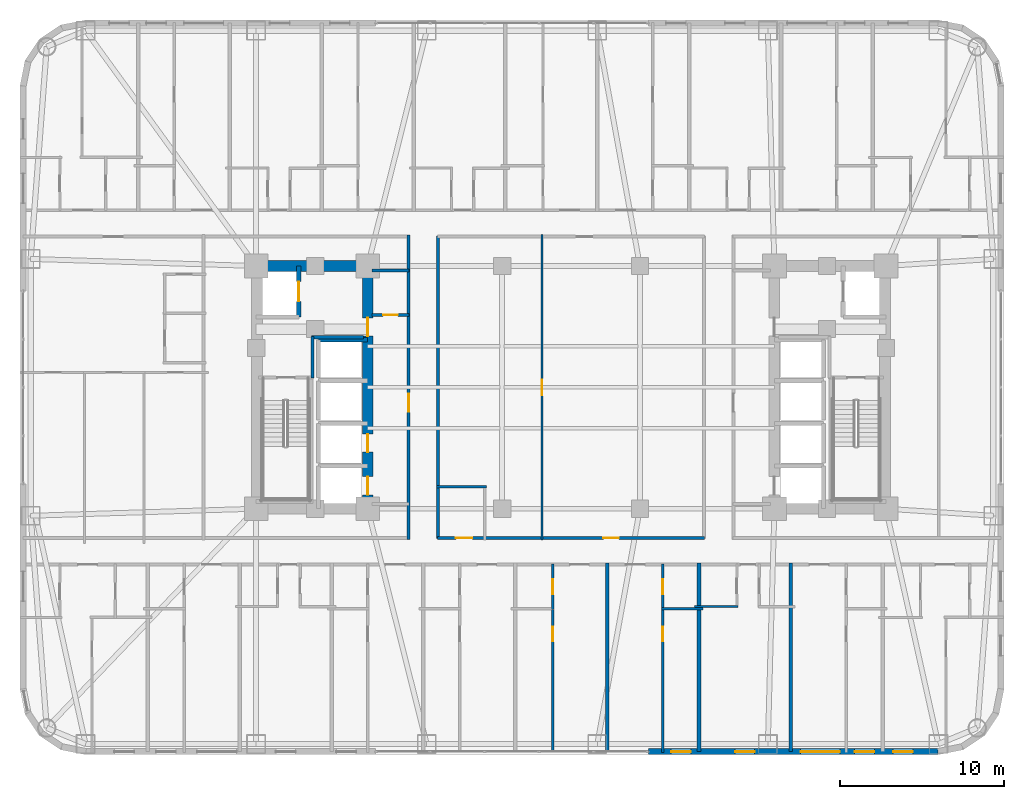
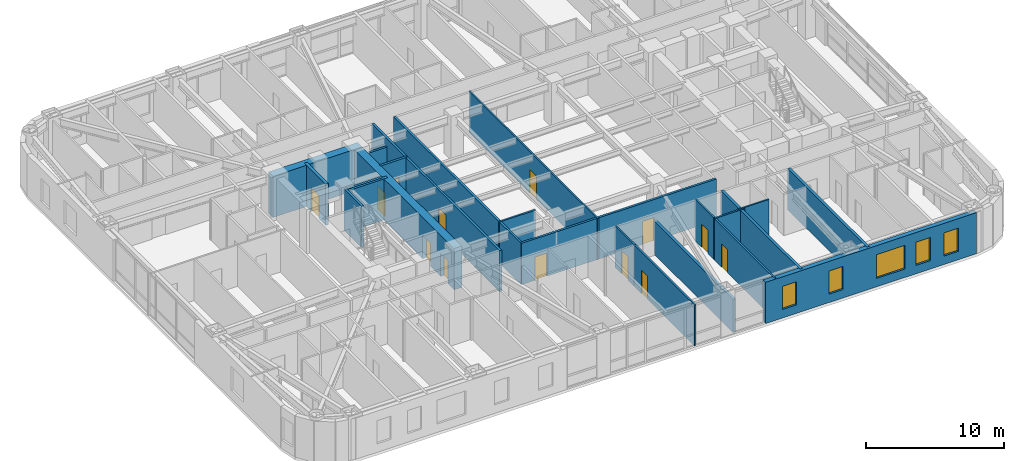
# One storey, part 22 of 28: 23 walls, 13 doors, 5 windows, 18 openings.
"""IFC4 building model written with IfcOpenShell, lengths in metres."""

from ifc_helpers import new_model, si_unit, direction, frame, frame_2d, origin, place, context, subcontext, project, spatial, rectangle, extrude, material, layer, layer_set, type_object, element, fill, save


model = new_model("IFC4")

# Units and contexts
model_context = context("Model", 3, precision=1e-05, world=origin(), true_north=direction((0.0, 1.0)))
body_context = subcontext(model_context, "Body", "Model", "MODEL_VIEW")
ifc_project = project(units=[si_unit("LENGTHUNIT", "METRE"), si_unit("AREAUNIT", "SQUARE_METRE"), si_unit("VOLUMEUNIT", "CUBIC_METRE"), si_unit("PLANEANGLEUNIT", "RADIAN"), si_unit("MASSUNIT", "GRAM", prefix="KILO")], contexts=[model_context])

# Site, building, storey
site_placement = place(None, origin())
site = spatial("IfcSite", under=ifc_project, at=site_placement, CompositionType="ELEMENT")
building_placement = place(site_placement, origin())
building = spatial("IfcBuilding", under=site, at=building_placement, Name="Voryun Gate Residences", CompositionType="ELEMENT")
storey_placement = place(building_placement, frame((0.0, 0.0, 61.10009765625)))
storey = spatial("IfcBuildingStorey", under=building, at=storey_placement, Name="L14", CompositionType="ELEMENT", Elevation=61.10009765625)

# Wall
ifc_material_1 = material(Name="Concrete C60/75", Category="concrete")
ifc_layer_1 = layer(ifc_material_1, 0.64990234375, Name="CW_CORE_650")
ifc_layer_set_1 = layer_set([ifc_layer_1], Name="Concrete C60/75")
wall_type_1 = type_object("IfcWallType", Name="CW_CORE_650", PredefinedType="SHEAR", material=ifc_layer_set_1)
wall_1_placement = place(storey_placement, frame((-19.52490234375, 7.39990234375, 0.0), z_axis=(0.0, 0.0, 1.0), x_axis=(1.0, 0.0, 0.0)))
element("IfcWall", 1, at=wall_1_placement, inside=storey, type_object=wall_type_1, Name="L14 Core shear wall CW-L14-WN", PredefinedType="SHEAR", context=body_context, shape_type="SweptSolid", body=[
    extrude(rectangle(XDim=7.449951171875, YDim=0.64990234375, at=frame_2d((3.72509765625, 0.0))), origin(), (0.0, 0.0, 1.0), 3.64990234375),
])

# Wall, openings, doors
wall_2_placement = place(storey_placement, frame((-12.39990234375, -7.39990234375, 0.0), z_axis=(0.0, 0.0, 1.0), x_axis=(0.0, 1.0, 0.0)))
wall_2 = element("IfcWall", 2, at=wall_2_placement, inside=storey, type_object=wall_type_1, Name="L14 Core shear wall CW-L14-WE", PredefinedType="SHEAR", context=body_context, shape_type="SweptSolid", body=[
    extrude(rectangle(XDim=14.7998046875, YDim=0.64990234375, at=frame_2d((7.39990234375, 0.0))), origin(), (0.0, 0.0, 1.0), 3.64990234375),
])
opening_1_placement = place(wall_2_placement, frame((0.85009765625, 0.0, 0.0)))
opening_1 = element("IfcOpeningElement", 3, at=opening_1_placement, cuts=wall_2, Name="Opening LD2", PredefinedType="OPENING", context=body_context, shape_type="SweptSolid", body=[
    extrude(rectangle(XDim=1.10009765625, YDim=2.050048828125, at=frame_2d((0.550048828125, 1.02490234375))), frame((0.0, 0.3349609375, 0.0), z_axis=(0.0, -1.0, 0.0), x_axis=(1.0, 0.0, 0.0)), (0.0, 0.0, 1.0), 0.669921875),
])
opening_2_placement = place(wall_2_placement, frame((3.449951171875, 0.0, 0.0)))
opening_2 = element("IfcOpeningElement", 4, at=opening_2_placement, cuts=wall_2, Name="Opening LD2", PredefinedType="OPENING", context=body_context, shape_type="SweptSolid", body=[
    extrude(rectangle(XDim=1.10009765625, YDim=2.050048828125, at=frame_2d((0.550048828125, 1.02490234375))), frame((0.0, 0.3349609375, 0.0), z_axis=(0.0, -1.0, 0.0), x_axis=(1.0, 0.0, 0.0)), (0.0, 0.0, 1.0), 0.669921875),
])
opening_3_placement = place(wall_2_placement, frame((10.530029296875, 0.0, 0.0)))
opening_3 = element("IfcOpeningElement", 5, at=opening_3_placement, cuts=wall_2, Name="Opening D-FD60-2", PredefinedType="OPENING", context=body_context, shape_type="SweptSolid", body=[
    extrude(rectangle(XDim=1.10009765625, YDim=2.050048828125, at=frame_2d((0.550048828125, 1.02490234375))), frame((0.0, 0.3349609375, 0.0), z_axis=(0.0, -1.0, 0.0), x_axis=(1.0, 0.0, 0.0)), (0.0, 0.0, 1.0), 0.669921875),
])
ifc_material_2 = material(Name="Painted steel fire door", Category="steel")
door_type_1 = type_object("IfcDoorType", Name="DR_FD60_FFLOB_1100", OperationType="NOTDEFINED", PredefinedType="DOOR", material=ifc_material_2)
door_1_placement = place(opening_3_placement, origin())
door_1 = element("IfcDoor", 6, at=door_1_placement, inside=storey, type_object=door_type_1, Name="Door DR-L14-CLOB-W", OperationType="SINGLE_SWING_LEFT", OverallHeight=2.050048828125, OverallWidth=1.10009765625, PredefinedType="DOOR", context=body_context, shape_type="SweptSolid", body=[
    extrude(rectangle(XDim=1.10009765625, YDim=2.050048828125, at=frame_2d((0.550048828125, 1.02490234375))), frame((0.0, 0.02490234375, 0.0), z_axis=(0.0, -1.0, 0.0), x_axis=(1.0, 0.0, 0.0)), (0.0, 0.0, 1.0), 0.050048828125),
])
fill(opening_3, door_1)
ifc_material_3 = material(Name="Anodised aluminium", Category="aluminium")
door_type_2 = type_object("IfcDoorType", Name="DR_LD_PASS_1100", OperationType="NOTDEFINED", PredefinedType="DOOR", material=ifc_material_3)
door_2_placement = place(opening_1_placement, origin())
door_2 = element("IfcDoor", 7, at=door_2_placement, inside=storey, type_object=door_type_2, Name="Lift EL-P1 sliding landing door L14", OperationType="SLIDING_TO_LEFT", OverallHeight=2.050048828125, OverallWidth=1.10009765625, PredefinedType="DOOR", context=body_context, shape_type="SweptSolid", body=[
    extrude(rectangle(XDim=1.10009765625, YDim=2.050048828125, at=frame_2d((0.550048828125, 1.02490234375))), frame((0.0, 0.02490234375, 0.0), z_axis=(0.0, -1.0, 0.0), x_axis=(1.0, 0.0, 0.0)), (0.0, 0.0, 1.0), 0.050048828125),
])
fill(opening_1, door_2)
door_3_placement = place(opening_2_placement, origin())
door_3 = element("IfcDoor", 8, at=door_3_placement, inside=storey, type_object=door_type_2, Name="Lift EL-P2 sliding landing door L14", OperationType="SLIDING_TO_LEFT", OverallHeight=2.050048828125, OverallWidth=1.10009765625, PredefinedType="DOOR", context=body_context, shape_type="SweptSolid", body=[
    extrude(rectangle(XDim=1.10009765625, YDim=2.050048828125, at=frame_2d((0.550048828125, 1.02490234375))), frame((0.0, 0.02490234375, 0.0), z_axis=(0.0, -1.0, 0.0), x_axis=(1.0, 0.0, 0.0)), (0.0, 0.0, 1.0), 0.050048828125),
])
fill(opening_2, door_3)

# Wall
ifc_material_4 = material(Name="Gypsum acoustic fireboard")
ifc_layer_2 = layer(ifc_material_4, 0.179931640625, Name="W_CORR_RATED_180")
ifc_layer_set_2 = layer_set([ifc_layer_2], Name="Gypsum acoustic fireboard")
wall_type_2 = type_object("IfcWallType", Name="W_CORR_RATED_180", PredefinedType="PARTITIONING", material=ifc_layer_set_2)
wall_3_placement = place(storey_placement, frame((-12.14990234375, 7.1201171875, 0.0), z_axis=(0.0, 0.0, 1.0), x_axis=(1.0, 0.0, 0.0)))
element("IfcWall", 9, at=wall_3_placement, inside=storey, type_object=wall_type_2, Name="Partition wall WP-L14-PLBN-W", PredefinedType="PARTITIONING", context=body_context, shape_type="SweptSolid", body=[
    extrude(rectangle(XDim=2.27001953125, YDim=0.179931640625, at=frame_2d((1.135009765625, 0.0))), origin(), (0.0, 0.0, 1.0), 2.93994140625),
])

# Wall, opening, door
wall_4_placement = place(storey_placement, frame((-9.89990234375, -9.280029296875, 0.0), z_axis=(0.0, 0.0, 1.0), x_axis=(0.0, 1.0, 0.0)))
wall_4 = element("IfcWall", 10, at=wall_4_placement, inside=storey, type_object=wall_type_2, Name="Partition wall WP-L14-PLBW-FULL", PredefinedType="PARTITIONING", context=body_context, shape_type="SweptSolid", body=[
    extrude(rectangle(XDim=18.56005859375, YDim=0.179931640625, at=frame_2d((9.280029296875, 0.0))), origin(), (0.0, 0.0, 1.0), 3.64990234375),
])
opening_4_placement = place(wall_4_placement, frame((7.802001953125, 0.0, 0.0)))
opening_4 = element("IfcOpeningElement", 11, at=opening_4_placement, cuts=wall_4, Name="Opening D-FD60-2", PredefinedType="OPENING", context=body_context, shape_type="SweptSolid", body=[
    extrude(rectangle(XDim=1.10009765625, YDim=2.050048828125, at=frame_2d((0.550048828125, 1.02490234375))), frame((0.0, 0.099853515625, 0.0), z_axis=(0.0, -1.0, 0.0), x_axis=(1.0, 0.0, 0.0)), (0.0, 0.0, 1.0), 0.199951171875),
])
door_4_placement = place(opening_4_placement, origin())
door_4 = element("IfcDoor", 12, at=door_4_placement, inside=storey, type_object=door_type_1, Name="Door DR-L14-PLBW-COR", OperationType="SINGLE_SWING_LEFT", OverallHeight=2.050048828125, OverallWidth=1.10009765625, PredefinedType="DOOR", context=body_context, shape_type="SweptSolid", body=[
    extrude(rectangle(XDim=1.10009765625, YDim=2.050048828125, at=frame_2d((0.550048828125, 1.02490234375))), frame((0.0, 0.02490234375, 0.0), z_axis=(0.0, -1.0, 0.0), x_axis=(1.0, 0.0, 0.0)), (0.0, 0.0, 1.0), 0.050048828125),
])
fill(opening_4, door_4)

# Wall, openings, doors
wall_5_placement = place(storey_placement, frame((-8.14990234375, -9.18994140625, 0.0), z_axis=(0.0, 0.0, 1.0), x_axis=(1.0, 0.0, 0.0)))
wall_5 = element("IfcWall", 13, at=wall_5_placement, inside=storey, type_object=wall_type_2, Name="Partition wall WP-L14-Z1S", PredefinedType="PARTITIONING", context=body_context, shape_type="SweptSolid", body=[
    extrude(rectangle(XDim=16.2998046875, YDim=0.179931640625, at=frame_2d((8.14990234375, 0.0))), origin(), (0.0, 0.0, 1.0), 3.64990234375),
])
opening_5_placement = place(wall_5_placement, frame((1.1298828125, 0.0, 0.0)))
opening_5 = element("IfcOpeningElement", 14, at=opening_5_placement, cuts=wall_5, Name="Opening D-AWC-1", PredefinedType="OPENING", context=body_context, shape_type="SweptSolid", body=[
    extrude(rectangle(XDim=1.0, YDim=2.050048828125, at=frame_2d((0.5, 1.02490234375))), frame((0.0, 0.099853515625, 0.0), z_axis=(0.0, -1.0, 0.0), x_axis=(1.0, 0.0, 0.0)), (0.0, 0.0, 1.0), 0.199951171875),
])
opening_6_placement = place(wall_5_placement, frame((10.1201171875, 0.0, 0.0)))
opening_6 = element("IfcOpeningElement", 15, at=opening_6_placement, cuts=wall_5, Name="Opening D-INT-1", PredefinedType="OPENING", context=body_context, shape_type="SweptSolid", body=[
    extrude(rectangle(XDim=0.949951171875, YDim=2.050048828125, at=frame_2d((0.47509765625, 1.02490234375))), frame((0.0, 0.099853515625, 0.0), z_axis=(0.0, -1.0, 0.0), x_axis=(1.0, 0.0, 0.0)), (0.0, 0.0, 1.0), 0.199951171875),
])
ifc_material_5 = material(Name="Architectural oak veneer")
door_type_3 = type_object("IfcDoorType", Name="DR_ACC_WC_1000", OperationType="NOTDEFINED", PredefinedType="DOOR", material=ifc_material_5)
door_5_placement = place(opening_5_placement, origin())
door_5 = element("IfcDoor", 16, at=door_5_placement, inside=storey, type_object=door_type_3, Name="Door DR-L14-CMWC-D", OperationType="SINGLE_SWING_LEFT", OverallHeight=2.050048828125, OverallWidth=1.0, PredefinedType="DOOR", context=body_context, shape_type="SweptSolid", body=[
    extrude(rectangle(XDim=1.0, YDim=2.050048828125, at=frame_2d((0.5, 1.02490234375))), frame((0.0, 0.02490234375, 0.0), z_axis=(0.0, -1.0, 0.0), x_axis=(1.0, 0.0, 0.0)), (0.0, 0.0, 1.0), 0.050048828125),
])
fill(opening_5, door_5)
ifc_material_6 = material(Name="Architectural oak veneer")
door_type_4 = type_object("IfcDoorType", Name="DR_INT_ROOM_950", OperationType="NOTDEFINED", PredefinedType="DOOR", material=ifc_material_6)
door_6_placement = place(opening_6_placement, origin())
door_6 = element("IfcDoor", 17, at=door_6_placement, inside=storey, type_object=door_type_4, Name="Door DR-L14-CMIDZ1S", OperationType="SINGLE_SWING_RIGHT", OverallHeight=2.050048828125, OverallWidth=0.949951171875, PredefinedType="DOOR", context=body_context, shape_type="SweptSolid", body=[
    extrude(rectangle(XDim=0.949951171875, YDim=2.050048828125, at=frame_2d((0.47509765625, 1.02490234375))), frame((0.0, 0.02490234375, 0.0), z_axis=(0.0, -1.0, 0.0), x_axis=(1.0, 0.0, 0.0)), (0.0, 0.0, 1.0), 0.050048828125),
])
fill(opening_6, door_6)

# Wall
wall_6_placement = place(storey_placement, frame((-8.10009765625, -9.22998046875, 0.0), z_axis=(0.0, 0.0, 1.0), x_axis=(0.0, 1.0, 0.0)))
element("IfcWall", 18, at=wall_6_placement, inside=storey, type_object=wall_type_2, Name="Partition wall WP-L14-Z1W", PredefinedType="PARTITIONING", context=body_context, shape_type="SweptSolid", body=[
    extrude(rectangle(XDim=18.4599609375, YDim=0.179931640625, at=frame_2d((9.22998046875, 0.0))), origin(), (0.0, 0.0, 1.0), 3.64990234375),
])

# Wall, openings, windows
ifc_material_7 = material(Name="Granite masonry", Category="masonry")
ifc_layer_3 = layer(ifc_material_7, 0.3798828125, Name="W_EXT_GRANITE_380")
ifc_layer_set_3 = layer_set([ifc_layer_3], Name="Granite masonry")
wall_type_3 = type_object("IfcWallType", Name="W_EXT_GRANITE_380", PredefinedType="ELEMENTEDWALL", material=ifc_layer_set_3)
wall_7_placement = place(storey_placement, frame((22.38134765625, -22.2099609375, 0.0), z_axis=(0.0, 0.0, 1.0), x_axis=(-1.0, 0.0, 0.0)))
wall_7 = element("IfcWall", 19, at=wall_7_placement, inside=storey, type_object=wall_type_3, Name="Exterior wall WEXT-L14-01A", PredefinedType="ELEMENTEDWALL", context=body_context, shape_type="SweptSolid", body=[
    extrude(rectangle(XDim=17.667236328125, YDim=0.3798828125, at=frame_2d((8.83349609375, 0.0))), origin(), (0.0, 0.0, 1.0), 3.64990234375),
])
opening_7_placement = place(wall_7_placement, frame((5.983642578125, 0.0, 0.75)))
opening_7 = element("IfcOpeningElement", 20, at=opening_7_placement, cuts=wall_7, Name="Opening WN2", PredefinedType="OPENING", context=body_context, shape_type="SweptSolid", body=[
    extrude(rectangle(XDim=2.39990234375, YDim=2.10009765625, at=frame_2d((1.199951171875, 1.050048828125))), frame((0.0, 0.199951171875, 0.0), z_axis=(0.0, -1.0, 0.0), x_axis=(1.0, 0.0, 0.0)), (0.0, 0.0, 1.0), 0.39990234375),
])
opening_8_placement = place(wall_7_placement, frame((15.079345703125, 0.0, 0.75)))
opening_8 = element("IfcOpeningElement", 21, at=opening_8_placement, cuts=wall_7, Name="Opening WN6", PredefinedType="OPENING", context=body_context, shape_type="SweptSolid", body=[
    extrude(rectangle(XDim=1.199951171875, YDim=2.050048828125, at=frame_2d((0.60009765625, 1.02490234375))), frame((0.0, 0.199951171875, 0.0), z_axis=(0.0, -1.0, 0.0), x_axis=(1.0, 0.0, 0.0)), (0.0, 0.0, 1.0), 0.39990234375),
])
opening_9_placement = place(wall_7_placement, frame((11.181396484375, 0.0, 0.75)))
opening_9 = element("IfcOpeningElement", 22, at=opening_9_placement, cuts=wall_7, Name="Opening WN6", PredefinedType="OPENING", context=body_context, shape_type="SweptSolid", body=[
    extrude(rectangle(XDim=1.199951171875, YDim=2.050048828125, at=frame_2d((0.60009765625, 1.02490234375))), frame((0.0, 0.199951171875, 0.0), z_axis=(0.0, -1.0, 0.0), x_axis=(1.0, 0.0, 0.0)), (0.0, 0.0, 1.0), 0.39990234375),
])
opening_10_placement = place(wall_7_placement, frame((3.88623046875, 0.0, 0.75)))
opening_10 = element("IfcOpeningElement", 23, at=opening_10_placement, cuts=wall_7, Name="Opening WN6", PredefinedType="OPENING", context=body_context, shape_type="SweptSolid", body=[
    extrude(rectangle(XDim=1.199951171875, YDim=2.050048828125, at=frame_2d((0.60009765625, 1.02490234375))), frame((0.0, 0.199951171875, 0.0), z_axis=(0.0, -1.0, 0.0), x_axis=(1.0, 0.0, 0.0)), (0.0, 0.0, 1.0), 0.39990234375),
])
opening_11_placement = place(wall_7_placement, frame((1.53564453125, 0.0, 0.75)))
opening_11 = element("IfcOpeningElement", 24, at=opening_11_placement, cuts=wall_7, Name="Opening WN6", PredefinedType="OPENING", context=body_context, shape_type="SweptSolid", body=[
    extrude(rectangle(XDim=1.199951171875, YDim=2.050048828125, at=frame_2d((0.60009765625, 1.02490234375))), frame((0.0, 0.199951171875, 0.0), z_axis=(0.0, -1.0, 0.0), x_axis=(1.0, 0.0, 0.0)), (0.0, 0.0, 1.0), 0.39990234375),
])
ifc_material_8 = material(Name="Laminated low-E glass", Category="glass")
window_type_1 = type_object("IfcWindowType", Name="WN_POD_SLOT_1200", PartitioningType="SINGLE_PANEL", PredefinedType="WINDOW", material=ifc_material_8)
window_1_placement = place(opening_8_placement, origin())
window_1 = element("IfcWindow", 25, at=window_1_placement, inside=storey, type_object=window_type_1, Name="Window WN-L14-DWFIX-16", OverallHeight=2.050048828125, OverallWidth=1.199951171875, PartitioningType="SINGLE_PANEL", PredefinedType="WINDOW", context=body_context, shape_type="SweptSolid", body=[
    extrude(rectangle(XDim=1.199951171875, YDim=2.050048828125, at=frame_2d((0.60009765625, 1.02490234375))), frame((0.0, 0.030029296875, 0.0), z_axis=(0.0, -1.0, 0.0), x_axis=(1.0, 0.0, 0.0)), (0.0, 0.0, 1.0), 0.06005859375),
])
fill(opening_8, window_1)
window_2_placement = place(opening_9_placement, origin())
window_2 = element("IfcWindow", 26, at=window_2_placement, inside=storey, type_object=window_type_1, Name="Window WN-L14-DWFIX-17", OverallHeight=2.050048828125, OverallWidth=1.199951171875, PartitioningType="SINGLE_PANEL", PredefinedType="WINDOW", context=body_context, shape_type="SweptSolid", body=[
    extrude(rectangle(XDim=1.199951171875, YDim=2.050048828125, at=frame_2d((0.60009765625, 1.02490234375))), frame((0.0, 0.030029296875, 0.0), z_axis=(0.0, -1.0, 0.0), x_axis=(1.0, 0.0, 0.0)), (0.0, 0.0, 1.0), 0.06005859375),
])
fill(opening_9, window_2)
window_3_placement = place(opening_10_placement, origin())
window_3 = element("IfcWindow", 27, at=window_3_placement, inside=storey, type_object=window_type_1, Name="Window WN-L14-DWFIX-18", OverallHeight=2.050048828125, OverallWidth=1.199951171875, PartitioningType="SINGLE_PANEL", PredefinedType="WINDOW", context=body_context, shape_type="SweptSolid", body=[
    extrude(rectangle(XDim=1.199951171875, YDim=2.050048828125, at=frame_2d((0.60009765625, 1.02490234375))), frame((0.0, 0.030029296875, 0.0), z_axis=(0.0, -1.0, 0.0), x_axis=(1.0, 0.0, 0.0)), (0.0, 0.0, 1.0), 0.06005859375),
])
fill(opening_10, window_3)
window_4_placement = place(opening_11_placement, origin())
window_4 = element("IfcWindow", 28, at=window_4_placement, inside=storey, type_object=window_type_1, Name="Window WN-L14-DWFIX-19", OverallHeight=2.050048828125, OverallWidth=1.199951171875, PartitioningType="SINGLE_PANEL", PredefinedType="WINDOW", context=body_context, shape_type="SweptSolid", body=[
    extrude(rectangle(XDim=1.199951171875, YDim=2.050048828125, at=frame_2d((0.60009765625, 1.02490234375))), frame((0.0, 0.030029296875, 0.0), z_axis=(0.0, -1.0, 0.0), x_axis=(1.0, 0.0, 0.0)), (0.0, 0.0, 1.0), 0.06005859375),
])
fill(opening_11, window_4)
ifc_material_9 = material(Name="Laminated low-E glass", Category="glass")
window_type_2 = type_object("IfcWindowType", Name="WN_RES_WIDE_2400", PartitioningType="SINGLE_PANEL", PredefinedType="WINDOW", material=ifc_material_9)
window_5_placement = place(opening_7_placement, origin())
window_5 = element("IfcWindow", 29, at=window_5_placement, inside=storey, type_object=window_type_2, Name="Window WN-WEXT-L14-01A-01", OverallHeight=2.10009765625, OverallWidth=2.39990234375, PartitioningType="SINGLE_PANEL", PredefinedType="WINDOW", context=body_context, shape_type="SweptSolid", body=[
    extrude(rectangle(XDim=2.39990234375, YDim=2.10009765625, at=frame_2d((1.199951171875, 1.050048828125))), frame((0.0, 0.030029296875, 0.0), z_axis=(0.0, -1.0, 0.0), x_axis=(1.0, 0.0, 0.0)), (0.0, 0.0, 1.0), 0.06005859375),
])
fill(opening_7, window_5)

# Walls
ifc_material_10 = material(Name="Concrete C40/50", Category="concrete")
ifc_layer_4 = layer(ifc_material_10, 0.199951171875, Name="W_FF_LOBBY_200")
ifc_layer_set_4 = layer_set([ifc_layer_4], Name="Concrete C40/50")
wall_type_4 = type_object("IfcWallType", Name="W_FF_LOBBY_200", PredefinedType="PARTITIONING", material=ifc_layer_set_4)
wall_8_placement = place(storey_placement, frame((-15.760009765625, 0.580078125, 0.0), z_axis=(0.0, 0.0, 1.0), x_axis=(0.0, 1.0, 0.0)))
element("IfcWall", 30, at=wall_8_placement, inside=storey, type_object=wall_type_4, Name="Partition wall WP-L14-FFP0-W", PredefinedType="PARTITIONING", context=body_context, shape_type="SweptSolid", body=[
    extrude(rectangle(XDim=2.52001953125, YDim=0.199951171875, at=frame_2d((1.260009765625, 0.0))), origin(), (0.0, 0.0, 1.0), 3.64990234375),
])
wall_9_placement = place(storey_placement, frame((-15.820068359375, 3.06005859375, 0.0), z_axis=(0.0, 0.0, 1.0), x_axis=(1.0, 0.0, 0.0)))
element("IfcWall", 31, at=wall_9_placement, inside=storey, type_object=wall_type_4, Name="Partition wall WP-L14-FFPS-W", PredefinedType="PARTITIONING", context=body_context, shape_type="SweptSolid", body=[
    extrude(rectangle(XDim=3.16015625, YDim=0.199951171875, at=frame_2d((1.580078125, 0.0))), origin(), (0.0, 0.0, 1.0), 3.64990234375),
])

# Wall, opening, door
wall_10_placement = place(storey_placement, frame((-12.14990234375, 4.409912109375, 0.0), z_axis=(0.0, 0.0, 1.0), x_axis=(1.0, 0.0, 0.0)))
wall_10 = element("IfcWall", 32, at=wall_10_placement, inside=storey, type_object=wall_type_4, Name="Partition wall WP-L14-CSFLKS-W", PredefinedType="PARTITIONING", context=body_context, shape_type="SweptSolid", body=[
    extrude(rectangle(XDim=2.27001953125, YDim=0.199951171875, at=frame_2d((1.135009765625, 0.0))), origin(), (0.0, 0.0, 1.0), 3.64990234375),
])
opening_12_placement = place(wall_10_placement, frame((0.68505859375, 0.0, 0.0)))
opening_12 = element("IfcOpeningElement", 33, at=opening_12_placement, cuts=wall_10, Name="Opening D-FD60-4", PredefinedType="OPENING", context=body_context, shape_type="SweptSolid", body=[
    extrude(rectangle(XDim=0.89990234375, YDim=2.050048828125, at=frame_2d((0.449951171875, 1.02490234375))), frame((0.0, 0.110107421875, 0.0), z_axis=(0.0, -1.0, 0.0), x_axis=(1.0, 0.0, 0.0)), (0.0, 0.0, 1.0), 0.219970703125),
])
ifc_material_11 = material(Name="Painted steel fire door", Category="steel")
door_type_5 = type_object("IfcDoorType", Name="DR_FD60_RISER_900", OperationType="NOTDEFINED", PredefinedType="DOOR", material=ifc_material_11)
door_7_placement = place(opening_12_placement, origin())
door_7 = element("IfcDoor", 34, at=door_7_placement, inside=storey, type_object=door_type_5, Name="Door DR-L14-CSFLK-W", OperationType="SINGLE_SWING_LEFT", OverallHeight=2.050048828125, OverallWidth=0.89990234375, PredefinedType="DOOR", context=body_context, shape_type="SweptSolid", body=[
    extrude(rectangle(XDim=0.89990234375, YDim=2.050048828125, at=frame_2d((0.449951171875, 1.02490234375))), frame((0.0, 0.02490234375, 0.0), z_axis=(0.0, -1.0, 0.0), x_axis=(1.0, 0.0, 0.0)), (0.0, 0.0, 1.0), 0.050048828125),
])
fill(opening_12, door_7)

# Walls
ifc_material_12 = material(Name="Concrete C40/50", Category="concrete")
ifc_layer_5 = layer(ifc_material_12, 0.219970703125, Name="W_PARTY_ACOUSTIC_220")
ifc_layer_set_5 = layer_set([ifc_layer_5], Name="Concrete C40/50")
wall_type_5 = type_object("IfcWallType", Name="W_PARTY_ACOUSTIC_220", PredefinedType="PARTITIONING", material=ifc_layer_set_5)
wall_11_placement = place(storey_placement, frame((2.199951171875, -22.2099609375, 0.0), z_axis=(0.0, 0.0, 1.0), x_axis=(0.0, 1.0, 0.0)))
element("IfcWall", 35, at=wall_11_placement, inside=storey, type_object=wall_type_5, Name="Partition wall WP-L14-SPTY-6", PredefinedType="PARTITIONING", context=body_context, shape_type="SweptSolid", body=[
    extrude(rectangle(XDim=11.489990234375, YDim=0.219970703125, at=frame_2d((5.7451171875, 0.0))), origin(), (0.0, 0.0, 1.0), 2.93994140625),
])
for number, where, z_axis, x_axis, name in (
    (36, (7.800048828125, -22.2099609375, 0.0), (0.0, 0.0, 1.0), (0.0, 1.0, 0.0), "Partition wall WP-L14-SPTY-7"),
    (37, (13.39990234375, -22.2099609375, 0.0), (0.0, 0.0, 1.0), (0.0, 1.0, 0.0), "Partition wall WP-L14-SPTY-8"),
):
    element("IfcWall", number, at=place(storey_placement, frame(where, z_axis=z_axis, x_axis=x_axis)), inside=storey, type_object=wall_type_5, Name=name, PredefinedType="PARTITIONING", context=body_context, shape_type="SweptSolid", body=[
        extrude(rectangle(XDim=11.489990234375, YDim=0.219970703125, at=frame_2d((5.7451171875, 0.0))), origin(), (0.0, 0.0, 1.0), 3.64990234375),
    ])

# Wall, opening, door
ifc_material_13 = material(Name="Concrete C50/60", Category="concrete")
ifc_layer_6 = layer(ifc_material_13, 0.25, Name="W_SHAFT_RC250")
ifc_layer_set_6 = layer_set([ifc_layer_6], Name="Concrete C50/60")
wall_type_6 = type_object("IfcWallType", Name="W_SHAFT_RC250", PredefinedType="SOLIDWALL", material=ifc_layer_set_6)
wall_12_placement = place(storey_placement, frame((-16.60009765625, 4.300048828125, 0.0), z_axis=(0.0, 0.0, 1.0), x_axis=(0.0, 1.0, 0.0)))
wall_12 = element("IfcWall", 38, at=wall_12_placement, inside=storey, type_object=wall_type_6, Name="Lift shaft wall WSH-L14-EL-FF-W1-E", PredefinedType="SOLIDWALL", context=body_context, shape_type="SweptSolid", body=[
    extrude(rectangle(XDim=3.099853515625, YDim=0.25, at=frame_2d((1.5498046875, 0.0))), origin(), (0.0, 0.0, 1.0), 3.64990234375),
])
opening_13_placement = place(wall_12_placement, frame((0.949951171875, 0.0, 0.0)))
opening_13 = element("IfcOpeningElement", 39, at=opening_13_placement, cuts=wall_12, Name="Opening LD1", PredefinedType="OPENING", context=body_context, shape_type="SweptSolid", body=[
    extrude(rectangle(XDim=1.199951171875, YDim=2.050048828125, at=frame_2d((0.60009765625, 1.02490234375))), frame((0.0, 0.135009765625, 0.0), z_axis=(0.0, -1.0, 0.0), x_axis=(1.0, 0.0, 0.0)), (0.0, 0.0, 1.0), 0.27001953125),
])
ifc_material_14 = material(Name="Anodised aluminium", Category="aluminium")
door_type_6 = type_object("IfcDoorType", Name="DR_LD_FF_1200", OperationType="NOTDEFINED", PredefinedType="DOOR", material=ifc_material_14)
door_8_placement = place(opening_13_placement, origin())
door_8 = element("IfcDoor", 40, at=door_8_placement, inside=storey, type_object=door_type_6, Name="Lift EL-FF-W1 sliding landing door L14", OperationType="SLIDING_TO_LEFT", OverallHeight=2.050048828125, OverallWidth=1.199951171875, PredefinedType="DOOR", context=body_context, shape_type="SweptSolid", body=[
    extrude(rectangle(XDim=1.199951171875, YDim=2.050048828125, at=frame_2d((0.60009765625, 1.02490234375))), frame((0.0, 0.02490234375, 0.0), z_axis=(0.0, -1.0, 0.0), x_axis=(1.0, 0.0, 0.0)), (0.0, 0.0, 1.0), 0.050048828125),
])
fill(opening_13, door_8)

# Wall
wall_13_placement = place(storey_placement, frame((-12.39990234375, 2.89990234375, 0.0), z_axis=(0.0, 0.0, 1.0), x_axis=(-1.0, 0.0, 0.0)))
element("IfcWall", 41, at=wall_13_placement, inside=storey, type_object=wall_type_6, Name="Lift shaft wall WSH-L14-EL-P7-N", PredefinedType="SOLIDWALL", context=body_context, shape_type="SweptSolid", body=[
    extrude(rectangle(XDim=3.0, YDim=0.25, at=frame_2d((1.5, 0.0))), origin(), (0.0, 0.0, 1.0), 3.64990234375),
])

# Wall, opening, door
ifc_material_15 = material(Name="Gypsum acoustic partition")
ifc_layer_7 = layer(ifc_material_15, 0.125, Name="W_UNIT_PART_125")
ifc_layer_set_7 = layer_set([ifc_layer_7], Name="Gypsum acoustic partition")
wall_type_7 = type_object("IfcWallType", Name="W_UNIT_PART_125", PredefinedType="PARTITIONING", material=ifc_layer_set_7)
wall_14_placement = place(storey_placement, frame((-1.77294921875, -9.320068359375, 0.0), z_axis=(0.0, 0.0, 1.0), x_axis=(0.0, 1.0, 0.0)))
wall_14 = element("IfcWall", 42, at=wall_14_placement, inside=storey, type_object=wall_type_7, Name="Partition wall WP-L14-MIDX-0", PredefinedType="PARTITIONING", context=body_context, shape_type="SweptSolid", body=[
    extrude(rectangle(XDim=18.64013671875, YDim=0.125, at=frame_2d((9.320068359375, 0.0))), origin(), (0.0, 0.0, 1.0), 3.64990234375),
])
opening_14_placement = place(wall_14_placement, frame((8.844970703125, 0.0, 0.0)))
opening_14 = element("IfcOpeningElement", 43, at=opening_14_placement, cuts=wall_14, Name="Opening D-INT-1", PredefinedType="OPENING", context=body_context, shape_type="SweptSolid", body=[
    extrude(rectangle(XDim=0.949951171875, YDim=2.050048828125, at=frame_2d((0.47509765625, 1.02490234375))), frame((0.0, 0.072509765625, 0.0), z_axis=(0.0, -1.0, 0.0), x_axis=(1.0, 0.0, 0.0)), (0.0, 0.0, 1.0), 0.14501953125),
])
door_9_placement = place(opening_14_placement, origin())
door_9 = element("IfcDoor", 44, at=door_9_placement, inside=storey, type_object=door_type_4, Name="Door DR-L14-MIDX-0", OperationType="SINGLE_SWING_LEFT", OverallHeight=2.050048828125, OverallWidth=0.949951171875, PredefinedType="DOOR", context=body_context, shape_type="SweptSolid", body=[
    extrude(rectangle(XDim=0.949951171875, YDim=2.050048828125, at=frame_2d((0.47509765625, 1.02490234375))), frame((0.0, 0.02490234375, 0.0), z_axis=(0.0, -1.0, 0.0), x_axis=(1.0, 0.0, 0.0)), (0.0, 0.0, 1.0), 0.050048828125),
])
fill(opening_14, door_9)

# Walls
wall_15_placement = place(storey_placement, frame((7.5400390625, -13.3701171875, 0.0), z_axis=(0.0, 0.0, 1.0), x_axis=(1.0, 0.0, 0.0)))
element("IfcWall", 45, at=wall_15_placement, inside=storey, type_object=wall_type_7, Name="Partition wall WP-L14-S8-CHK", PredefinedType="PARTITIONING", context=body_context, shape_type="SweptSolid", body=[
    extrude(rectangle(XDim=2.6298828125, YDim=0.125, at=frame_2d((1.31494140625, 0.0))), origin(), (0.0, 0.0, 1.0), 3.64990234375),
])
ifc_material_16 = material(Name="Gypsum moisture-resistant partition")
ifc_layer_8 = layer(ifc_material_16, 0.14990234375, Name="W_WET_PLUMB_150")
ifc_layer_set_8 = layer_set([ifc_layer_8], Name="Gypsum moisture-resistant partition")
wall_type_8 = type_object("IfcWallType", Name="W_WET_PLUMB_150", PredefinedType="PLUMBINGWALL", material=ifc_layer_set_8)
wall_16_placement = place(storey_placement, frame((-8.2099609375, -6.070068359375, 0.0), z_axis=(0.0, 0.0, 1.0), x_axis=(1.0, 0.0, 0.0)))
element("IfcWall", 46, at=wall_16_placement, inside=storey, type_object=wall_type_8, Name="Partition wall WP-L14-CMWCY", PredefinedType="PLUMBINGWALL", context=body_context, shape_type="SweptSolid", body=[
    extrude(rectangle(XDim=3.050048828125, YDim=0.14990234375, at=frame_2d((1.52490234375, 0.0))), origin(), (0.0, 0.0, 1.0), 3.64990234375),
])

# Wall, opening, door
wall_17_placement = place(storey_placement, frame((-1.110107421875, -22.257568359375, 0.0), z_axis=(0.0, 0.0, 1.0), x_axis=(0.0, 1.0, 0.0)))
wall_17 = element("IfcWall", 47, at=wall_17_placement, inside=storey, type_object=wall_type_8, Name="Partition wall WP-L14-S6-SVT1", PredefinedType="PLUMBINGWALL", context=body_context, shape_type="SweptSolid", body=[
    extrude(rectangle(XDim=8.797607421875, YDim=0.14990234375, at=frame_2d((4.39892578125, 0.0))), origin(), (0.0, 0.0, 1.0), 3.64990234375),
])
opening_15_placement = place(wall_17_placement, frame((6.763916015625, 0.0, 0.0)))
opening_15 = element("IfcOpeningElement", 48, at=opening_15_placement, cuts=wall_17, Name="Opening D-INT-2", PredefinedType="OPENING", context=body_context, shape_type="SweptSolid", body=[
    extrude(rectangle(XDim=0.89990234375, YDim=2.050048828125, at=frame_2d((0.449951171875, 1.02490234375))), frame((0.0, 0.0849609375, 0.0), z_axis=(0.0, -1.0, 0.0), x_axis=(1.0, 0.0, 0.0)), (0.0, 0.0, 1.0), 0.169921875),
])
ifc_material_17 = material(Name="Architectural oak veneer")
door_type_7 = type_object("IfcDoorType", Name="DR_INT_BATH_900", OperationType="NOTDEFINED", PredefinedType="DOOR", material=ifc_material_17)
door_10_placement = place(opening_15_placement, origin())
door_10 = element("IfcDoor", 49, at=door_10_placement, inside=storey, type_object=door_type_7, Name="Door DR-L14-S6-DK", OperationType="SINGLE_SWING_LEFT", OverallHeight=2.050048828125, OverallWidth=0.89990234375, PredefinedType="DOOR", context=body_context, shape_type="SweptSolid", body=[
    extrude(rectangle(XDim=0.89990234375, YDim=2.050048828125, at=frame_2d((0.449951171875, 1.02490234375))), frame((0.0, 0.02490234375, 0.0), z_axis=(0.0, -1.0, 0.0), x_axis=(1.0, 0.0, 0.0)), (0.0, 0.0, 1.0), 0.050048828125),
])
fill(opening_15, door_10)

wall_18_placement = place(storey_placement, frame((-1.110107421875, -13.5400390625, 0.0), z_axis=(0.0, 0.0, 1.0), x_axis=(0.0, 1.0, 0.0)))
wall_18 = element("IfcWall", 50, at=wall_18_placement, inside=storey, type_object=wall_type_8, Name="Partition wall WP-L14-S6-SVT2", PredefinedType="PLUMBINGWALL", context=body_context, shape_type="SweptSolid", body=[
    extrude(rectangle(XDim=2.760009765625, YDim=0.14990234375, at=frame_2d((1.3798828125, 0.0))), origin(), (0.0, 0.0, 1.0), 3.64990234375),
])
opening_16_placement = place(wall_18_placement, frame((0.929931640625, 0.0, 0.0)))
opening_16 = element("IfcOpeningElement", 51, at=opening_16_placement, cuts=wall_18, Name="Opening D-INT-2", PredefinedType="OPENING", context=body_context, shape_type="SweptSolid", body=[
    extrude(rectangle(XDim=0.89990234375, YDim=2.050048828125, at=frame_2d((0.449951171875, 1.02490234375))), frame((0.0, 0.0849609375, 0.0), z_axis=(0.0, -1.0, 0.0), x_axis=(1.0, 0.0, 0.0)), (0.0, 0.0, 1.0), 0.169921875),
])
door_11_placement = place(opening_16_placement, origin())
door_11 = element("IfcDoor", 52, at=door_11_placement, inside=storey, type_object=door_type_7, Name="Door DR-L14-S6-DB", OperationType="SINGLE_SWING_RIGHT", OverallHeight=2.050048828125, OverallWidth=0.89990234375, PredefinedType="DOOR", context=body_context, shape_type="SweptSolid", body=[
    extrude(rectangle(XDim=0.89990234375, YDim=2.050048828125, at=frame_2d((0.449951171875, 1.02490234375))), frame((0.0, 0.02490234375, 0.0), z_axis=(0.0, -1.0, 0.0), x_axis=(1.0, 0.0, 0.0)), (0.0, 0.0, 1.0), 0.050048828125),
])
fill(opening_16, door_11)

# Wall
wall_19_placement = place(storey_placement, frame((5.510009765625, -13.5, 0.0), z_axis=(0.0, 0.0, 1.0), x_axis=(1.0, 0.0, 0.0)))
element("IfcWall", 53, at=wall_19_placement, inside=storey, type_object=wall_type_8, Name="Partition wall WP-L14-S7-SKB", PredefinedType="PLUMBINGWALL", context=body_context, shape_type="SweptSolid", body=[
    extrude(rectangle(XDim=2.550048828125, YDim=0.14990234375, at=frame_2d((1.27490234375, 0.0))), origin(), (0.0, 0.0, 1.0), 3.64990234375),
])

# Wall, opening, door
wall_20_placement = place(storey_placement, frame((5.590087890625, -22.257568359375, 0.0), z_axis=(0.0, 0.0, 1.0), x_axis=(0.0, 1.0, 0.0)))
wall_20 = element("IfcWall", 54, at=wall_20_placement, inside=storey, type_object=wall_type_8, Name="Partition wall WP-L14-S7-SVT1", PredefinedType="PLUMBINGWALL", context=body_context, shape_type="SweptSolid", body=[
    extrude(rectangle(XDim=8.797607421875, YDim=0.14990234375, at=frame_2d((4.39892578125, 0.0))), origin(), (0.0, 0.0, 1.0), 3.64990234375),
])
opening_17_placement = place(wall_20_placement, frame((6.763916015625, 0.0, 0.0)))
opening_17 = element("IfcOpeningElement", 55, at=opening_17_placement, cuts=wall_20, Name="Opening D-INT-2", PredefinedType="OPENING", context=body_context, shape_type="SweptSolid", body=[
    extrude(rectangle(XDim=0.89990234375, YDim=2.050048828125, at=frame_2d((0.449951171875, 1.02490234375))), frame((0.0, 0.0849609375, 0.0), z_axis=(0.0, -1.0, 0.0), x_axis=(1.0, 0.0, 0.0)), (0.0, 0.0, 1.0), 0.169921875),
])
door_12_placement = place(opening_17_placement, origin())
door_12 = element("IfcDoor", 56, at=door_12_placement, inside=storey, type_object=door_type_7, Name="Door DR-L14-S7-DK", OperationType="SINGLE_SWING_LEFT", OverallHeight=2.050048828125, OverallWidth=0.89990234375, PredefinedType="DOOR", context=body_context, shape_type="SweptSolid", body=[
    extrude(rectangle(XDim=0.89990234375, YDim=2.050048828125, at=frame_2d((0.449951171875, 1.02490234375))), frame((0.0, 0.02490234375, 0.0), z_axis=(0.0, -1.0, 0.0), x_axis=(1.0, 0.0, 0.0)), (0.0, 0.0, 1.0), 0.050048828125),
])
fill(opening_17, door_12)

wall_21_placement = place(storey_placement, frame((5.590087890625, -13.5400390625, 0.0), z_axis=(0.0, 0.0, 1.0), x_axis=(0.0, 1.0, 0.0)))
wall_21 = element("IfcWall", 57, at=wall_21_placement, inside=storey, type_object=wall_type_8, Name="Partition wall WP-L14-S7-SVT2", PredefinedType="PLUMBINGWALL", context=body_context, shape_type="SweptSolid", body=[
    extrude(rectangle(XDim=2.760009765625, YDim=0.14990234375, at=frame_2d((1.3798828125, 0.0))), origin(), (0.0, 0.0, 1.0), 3.64990234375),
])
opening_18_placement = place(wall_21_placement, frame((0.929931640625, 0.0, 0.0)))
opening_18 = element("IfcOpeningElement", 58, at=opening_18_placement, cuts=wall_21, Name="Opening D-INT-2", PredefinedType="OPENING", context=body_context, shape_type="SweptSolid", body=[
    extrude(rectangle(XDim=0.89990234375, YDim=2.050048828125, at=frame_2d((0.449951171875, 1.02490234375))), frame((0.0, 0.0849609375, 0.0), z_axis=(0.0, -1.0, 0.0), x_axis=(1.0, 0.0, 0.0)), (0.0, 0.0, 1.0), 0.169921875),
])
door_13_placement = place(opening_18_placement, origin())
door_13 = element("IfcDoor", 59, at=door_13_placement, inside=storey, type_object=door_type_7, Name="Door DR-L14-S7-DB", OperationType="SINGLE_SWING_RIGHT", OverallHeight=2.050048828125, OverallWidth=0.89990234375, PredefinedType="DOOR", context=body_context, shape_type="SweptSolid", body=[
    extrude(rectangle(XDim=0.89990234375, YDim=2.050048828125, at=frame_2d((0.449951171875, 1.02490234375))), frame((0.0, 0.02490234375, 0.0), z_axis=(0.0, -1.0, 0.0), x_axis=(1.0, 0.0, 0.0)), (0.0, 0.0, 1.0), 0.050048828125),
])
fill(opening_18, door_13)

save(model, "model.ifc")
